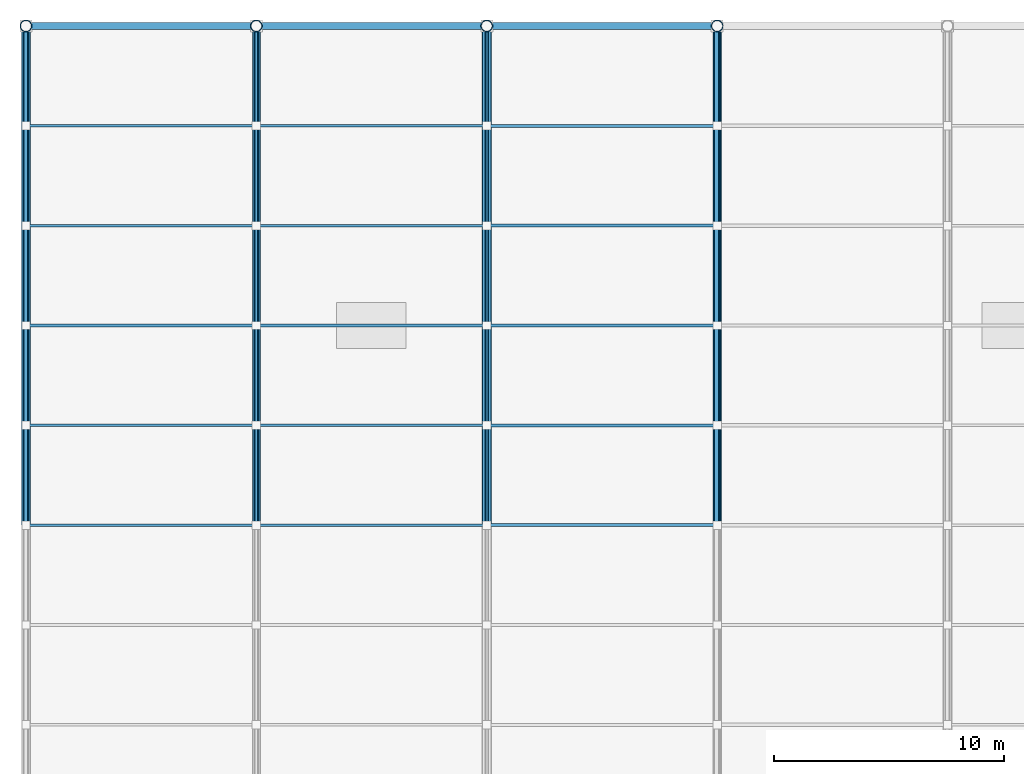
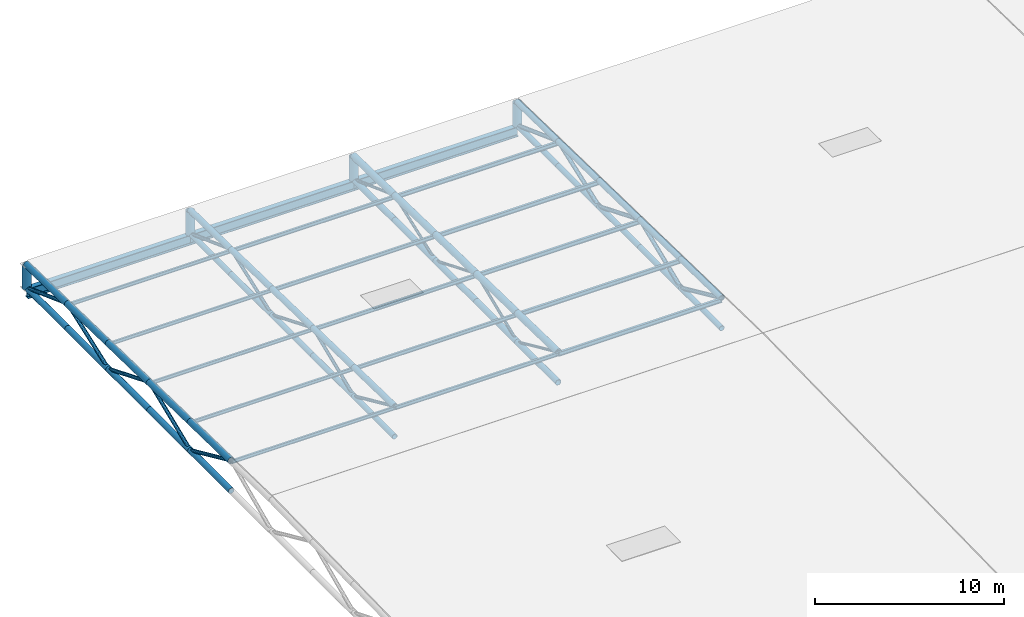
# One storey, part 50 of 75: 79 members, 3 beams.
"""IFC4 building model written with IfcOpenShell, lengths in metres."""

from ifc_helpers import new_model, si_unit, direction, frame, origin, origin_2d, place, context, subcontext, project, spatial, hollow_circle, i_section, extrude, material, material_profile, profile_set, type_object, element, save


model = new_model("IFC4")

# Units and contexts
model_context = context("Model", 3, precision=1e-05, world=origin(), true_north=direction((0.0, 1.0)))
body_context = subcontext(model_context, "Body", "Model", "MODEL_VIEW")
ifc_project = project(units=[si_unit("LENGTHUNIT", "METRE"), si_unit("AREAUNIT", "SQUARE_METRE"), si_unit("VOLUMEUNIT", "CUBIC_METRE"), si_unit("PLANEANGLEUNIT", "RADIAN"), si_unit("MASSUNIT", "GRAM", prefix="KILO")], contexts=[model_context])

# Site, building, storey
site_placement = place(None, origin())
site = spatial("IfcSite", under=ifc_project, at=site_placement, CompositionType="ELEMENT")
building_placement = place(site_placement, origin())
building = spatial("IfcBuilding", under=site, at=building_placement, Name="Khorjan Park Terminus", CompositionType="ELEMENT")
storey_placement = place(building_placement, frame((0.0, 0.0, 16.2)))
storey = spatial("IfcBuildingStorey", under=building, at=storey_placement, Name="L03", CompositionType="ELEMENT", Elevation=16.2)

# Members
ifc_material = material(Name="Steel S355", Category="steel")
ifc_material_profile_1 = material_profile(ifc_material, hollow_circle(Radius=0.0842, WallThickness=0.008, at=origin_2d()), Name="CHS 168.3x8")
ifc_profile_set_1 = profile_set([ifc_material_profile_1], Name="Steel S355")
member_type_1 = type_object("IfcMemberType", Name="MB-BR-168", PredefinedType="BRACE", material=ifc_profile_set_1)
member_1_placement = place(storey_placement, frame((20.0, 132.3333, -0.6417), z_axis=(0.0, 0.911269553162, -0.411810395061), x_axis=(-1.0, 0.0, 0.0)))
element("IfcMember", 1, at=member_1_placement, inside=storey, type_object=member_type_1, Name="Train shed flat truss web diagonal TB-17 (T3)", PredefinedType="BRACE", context=body_context, shape_type="SweptSolid", body=[
    extrude(hollow_circle(Radius=0.0842, WallThickness=0.008, at=origin_2d()), origin(), (0.0, 0.0, 1.0), 4.7553),
])
for number, where, z_axis, x_axis, name in (
    (2, (20.0, 136.6667, -2.6), (0.0, 0.92537575721, 0.379051062481), (-1.0, 0.0, 0.0), "Train shed flat truss web diagonal TB-17 (T3)"),
    (3, (20.0, 141.0, -0.825), (0.0, 0.92537575721, -0.379051062481), (-1.0, 0.0, 0.0), "Train shed flat truss web diagonal TB-17 (T3)"),
):
    element("IfcMember", number, at=place(storey_placement, frame(where, z_axis=z_axis, x_axis=x_axis)), inside=storey, type_object=member_type_1, Name=name, PredefinedType="BRACE", context=body_context, shape_type="SweptSolid", body=[
        extrude(hollow_circle(Radius=0.0842, WallThickness=0.008, at=origin_2d()), origin(), (0.0, 0.0, 1.0), 4.6827),
    ])
member_2_placement = place(storey_placement, frame((20.0, 145.3333, -2.6), z_axis=(0.0, 0.938681062758, 0.344786691187), x_axis=(-1.0, 0.0, 0.0)))
element("IfcMember", 4, at=member_2_placement, inside=storey, type_object=member_type_1, Name="Train shed flat truss web diagonal TB-17 (T3)", PredefinedType="BRACE", context=body_context, shape_type="SweptSolid", body=[
    extrude(hollow_circle(Radius=0.0842, WallThickness=0.008, at=origin_2d()), origin(), (0.0, 0.0, 1.0), 4.6165),
])
member_3_placement = place(storey_placement, frame((20.0, 149.6667, -1.0083), z_axis=(0.0, 0.938678487602, -0.344793701963), x_axis=(-1.0, 0.0, 0.0)))
element("IfcMember", 5, at=member_3_placement, inside=storey, type_object=member_type_1, Name="Train shed flat truss web diagonal TB-17 (T3)", PredefinedType="BRACE", context=body_context, shape_type="SweptSolid", body=[
    extrude(hollow_circle(Radius=0.0842, WallThickness=0.008, at=origin_2d()), origin(), (0.0, 0.0, 1.0), 4.6164),
])
ifc_material_profile_2 = material_profile(ifc_material, hollow_circle(Radius=0.0969, WallThickness=0.01, at=origin_2d()), Name="CHS 193.7x10")
ifc_profile_set_2 = profile_set([ifc_material_profile_2], Name="Steel S355")
member_type_2 = type_object("IfcMemberType", Name="MB-BR-194", PredefinedType="BRACE", material=ifc_profile_set_2)
member_4_placement = place(storey_placement, frame((10.0, 132.3333, -0.6417), z_axis=(0.0, 0.911269553162, -0.411810395061), x_axis=(-1.0, 0.0, 0.0)))
element("IfcMember", 6, at=member_4_placement, inside=storey, type_object=member_type_2, Name="Train shed flat truss web diagonal TB-19 (T2)", PredefinedType="BRACE", context=body_context, shape_type="SweptSolid", body=[
    extrude(hollow_circle(Radius=0.0969, WallThickness=0.01, at=origin_2d()), origin(), (0.0, 0.0, 1.0), 4.7553),
])
for number, where, z_axis, x_axis, name in (
    (7, (10.0, 136.6667, -2.6), (0.0, 0.92537575721, 0.379051062481), (-1.0, 0.0, 0.0), "Train shed flat truss web diagonal TB-19 (T2)"),
    (8, (10.0, 141.0, -0.825), (0.0, 0.92537575721, -0.379051062481), (-1.0, 0.0, 0.0), "Train shed flat truss web diagonal TB-19 (T2)"),
):
    element("IfcMember", number, at=place(storey_placement, frame(where, z_axis=z_axis, x_axis=x_axis)), inside=storey, type_object=member_type_2, Name=name, PredefinedType="BRACE", context=body_context, shape_type="SweptSolid", body=[
        extrude(hollow_circle(Radius=0.0969, WallThickness=0.01, at=origin_2d()), origin(), (0.0, 0.0, 1.0), 4.6827),
    ])
member_5_placement = place(storey_placement, frame((10.0, 145.3333, -2.6), z_axis=(0.0, 0.938681062758, 0.344786691187), x_axis=(-1.0, 0.0, 0.0)))
element("IfcMember", 9, at=member_5_placement, inside=storey, type_object=member_type_2, Name="Train shed flat truss web diagonal TB-19 (T2)", PredefinedType="BRACE", context=body_context, shape_type="SweptSolid", body=[
    extrude(hollow_circle(Radius=0.0969, WallThickness=0.01, at=origin_2d()), origin(), (0.0, 0.0, 1.0), 4.6165),
])
member_6_placement = place(storey_placement, frame((10.0, 149.6667, -1.0083), z_axis=(0.0, 0.938678487602, -0.344793701963), x_axis=(-1.0, 0.0, 0.0)))
element("IfcMember", 10, at=member_6_placement, inside=storey, type_object=member_type_2, Name="Train shed flat truss web diagonal TB-19 (T2)", PredefinedType="BRACE", context=body_context, shape_type="SweptSolid", body=[
    extrude(hollow_circle(Radius=0.0969, WallThickness=0.01, at=origin_2d()), origin(), (0.0, 0.0, 1.0), 4.6164),
])
ifc_material_profile_3 = material_profile(ifc_material, hollow_circle(Radius=0.1095, WallThickness=0.01, at=origin_2d()), Name="CHS 219.1x10")
ifc_profile_set_3 = profile_set([ifc_material_profile_3], Name="Steel S355")
member_type_3 = type_object("IfcMemberType", Name="MB-BR-219", PredefinedType="BRACE", material=ifc_profile_set_3)
member_7_placement = place(storey_placement, frame((0.0, 132.3333, -0.6417), z_axis=(0.0, 0.911269553162, -0.411810395061), x_axis=(-1.0, 0.0, 0.0)))
element("IfcMember", 11, at=member_7_placement, inside=storey, type_object=member_type_3, Name="Train shed flat truss web diagonal TB-22 (T1)", PredefinedType="BRACE", context=body_context, shape_type="SweptSolid", body=[
    extrude(hollow_circle(Radius=0.1095, WallThickness=0.01, at=origin_2d()), origin(), (0.0, 0.0, 1.0), 4.7553),
])
for number, where, z_axis, x_axis, name in (
    (12, (0.0, 136.6667, -2.6), (0.0, 0.92537575721, 0.379051062481), (-1.0, 0.0, 0.0), "Train shed flat truss web diagonal TB-22 (T1)"),
    (13, (0.0, 141.0, -0.825), (0.0, 0.92537575721, -0.379051062481), (-1.0, 0.0, 0.0), "Train shed flat truss web diagonal TB-22 (T1)"),
):
    element("IfcMember", number, at=place(storey_placement, frame(where, z_axis=z_axis, x_axis=x_axis)), inside=storey, type_object=member_type_3, Name=name, PredefinedType="BRACE", context=body_context, shape_type="SweptSolid", body=[
        extrude(hollow_circle(Radius=0.1095, WallThickness=0.01, at=origin_2d()), origin(), (0.0, 0.0, 1.0), 4.6827),
    ])
member_8_placement = place(storey_placement, frame((0.0, 145.3333, -2.6), z_axis=(0.0, 0.938681062758, 0.344786691187), x_axis=(-1.0, 0.0, 0.0)))
element("IfcMember", 14, at=member_8_placement, inside=storey, type_object=member_type_3, Name="Train shed flat truss web diagonal TB-22 (T1)", PredefinedType="BRACE", context=body_context, shape_type="SweptSolid", body=[
    extrude(hollow_circle(Radius=0.1095, WallThickness=0.01, at=origin_2d()), origin(), (0.0, 0.0, 1.0), 4.6165),
])
member_9_placement = place(storey_placement, frame((0.0, 149.6667, -1.0083), z_axis=(0.0, 0.938678487602, -0.344793701963), x_axis=(-1.0, 0.0, 0.0)))
element("IfcMember", 15, at=member_9_placement, inside=storey, type_object=member_type_3, Name="Train shed flat truss web diagonal TB-22 (T1)", PredefinedType="BRACE", context=body_context, shape_type="SweptSolid", body=[
    extrude(hollow_circle(Radius=0.1095, WallThickness=0.01, at=origin_2d()), origin(), (0.0, 0.0, 1.0), 4.6164),
])
ifc_material_profile_4 = material_profile(ifc_material, hollow_circle(Radius=0.1222, WallThickness=0.0125, at=origin_2d()), Name="CHS 244.5x12.5")
ifc_profile_set_4 = profile_set([ifc_material_profile_4], Name="Steel S355")
member_type_4 = type_object("IfcMemberType", Name="MB-BR-245", PredefinedType="BRACE", material=ifc_profile_set_4)
member_10_placement = place(storey_placement, frame((30.0, 132.3333, -0.6417), z_axis=(0.0, 0.911269553162, -0.411810395061), x_axis=(-1.0, 0.0, 0.0)))
element("IfcMember", 16, at=member_10_placement, inside=storey, type_object=member_type_4, Name="Train shed flat truss web diagonal TB-24 (T4)", PredefinedType="BRACE", context=body_context, shape_type="SweptSolid", body=[
    extrude(hollow_circle(Radius=0.1222, WallThickness=0.0125, at=origin_2d()), origin(), (0.0, 0.0, 1.0), 4.7553),
])
for number, where, z_axis, x_axis, name in (
    (17, (30.0, 136.6667, -2.6), (0.0, 0.92537575721, 0.379051062481), (-1.0, 0.0, 0.0), "Train shed flat truss web diagonal TB-24 (T4)"),
    (18, (30.0, 141.0, -0.825), (0.0, 0.92537575721, -0.379051062481), (-1.0, 0.0, 0.0), "Train shed flat truss web diagonal TB-24 (T4)"),
):
    element("IfcMember", number, at=place(storey_placement, frame(where, z_axis=z_axis, x_axis=x_axis)), inside=storey, type_object=member_type_4, Name=name, PredefinedType="BRACE", context=body_context, shape_type="SweptSolid", body=[
        extrude(hollow_circle(Radius=0.1222, WallThickness=0.0125, at=origin_2d()), origin(), (0.0, 0.0, 1.0), 4.6827),
    ])
member_11_placement = place(storey_placement, frame((30.0, 145.3333, -2.6), z_axis=(0.0, 0.938681062758, 0.344786691187), x_axis=(-1.0, 0.0, 0.0)))
element("IfcMember", 19, at=member_11_placement, inside=storey, type_object=member_type_4, Name="Train shed flat truss web diagonal TB-24 (T4)", PredefinedType="BRACE", context=body_context, shape_type="SweptSolid", body=[
    extrude(hollow_circle(Radius=0.1222, WallThickness=0.0125, at=origin_2d()), origin(), (0.0, 0.0, 1.0), 4.6165),
])
member_12_placement = place(storey_placement, frame((30.0, 149.6667, -1.0083), z_axis=(0.0, 0.938678487602, -0.344793701963), x_axis=(-1.0, 0.0, 0.0)))
element("IfcMember", 20, at=member_12_placement, inside=storey, type_object=member_type_4, Name="Train shed flat truss web diagonal TB-24 (T4)", PredefinedType="BRACE", context=body_context, shape_type="SweptSolid", body=[
    extrude(hollow_circle(Radius=0.1222, WallThickness=0.0125, at=origin_2d()), origin(), (0.0, 0.0, 1.0), 4.6164),
])
ifc_material_profile_5 = material_profile(ifc_material, hollow_circle(Radius=0.162, WallThickness=0.0125, at=origin_2d()), Name="CHS 323.9x12.5")
ifc_profile_set_5 = profile_set([ifc_material_profile_5], Name="Steel S355")
member_type_5 = type_object("IfcMemberType", Name="MB-CH-324", PredefinedType="CHORD", material=ifc_profile_set_5)
member_13_placement = place(storey_placement, frame((10.0, 132.3333, -2.6), z_axis=(0.0, 1.0, 0.0), x_axis=(-1.0, 0.0, 0.0)))
element("IfcMember", 21, at=member_13_placement, inside=storey, type_object=member_type_5, Name="Train shed flat truss bottom chord TC-32 (T2)", PredefinedType="CHORD", context=body_context, shape_type="SweptSolid", body=[
    extrude(hollow_circle(Radius=0.162, WallThickness=0.0125, at=origin_2d()), origin(), (0.0, 0.0, 1.0), 4.3334),
])
for number, where, z_axis, x_axis, name in (
    (22, (10.0, 136.6667, -2.6), (0.0, 1.0, 0.0), (-1.0, 0.0, 0.0), "Train shed flat truss bottom chord TC-32 (T2)"),
    (23, (10.0, 141.0, -2.6), (0.0, 1.0, 0.0), (-1.0, 0.0, 0.0), "Train shed flat truss bottom chord TC-32 (T2)"),
):
    element("IfcMember", number, at=place(storey_placement, frame(where, z_axis=z_axis, x_axis=x_axis)), inside=storey, type_object=member_type_5, Name=name, PredefinedType="CHORD", context=body_context, shape_type="SweptSolid", body=[
        extrude(hollow_circle(Radius=0.162, WallThickness=0.0125, at=origin_2d()), origin(), (0.0, 0.0, 1.0), 4.3333),
    ])
member_14_placement = place(storey_placement, frame((10.0, 145.3333, -2.6), z_axis=(0.0, 1.0, 0.0), x_axis=(-1.0, 0.0, 0.0)))
element("IfcMember", 24, at=member_14_placement, inside=storey, type_object=member_type_5, Name="Train shed flat truss bottom chord TC-32 (T2)", PredefinedType="CHORD", context=body_context, shape_type="SweptSolid", body=[
    extrude(hollow_circle(Radius=0.162, WallThickness=0.0125, at=origin_2d()), origin(), (0.0, 0.0, 1.0), 4.3334),
])
member_15_placement = place(storey_placement, frame((10.0, 149.6667, -2.6), z_axis=(0.0, 1.0, 0.0), x_axis=(-1.0, 0.0, 0.0)))
element("IfcMember", 25, at=member_15_placement, inside=storey, type_object=member_type_5, Name="Train shed flat truss bottom chord TC-32 (T2)", PredefinedType="CHORD", context=body_context, shape_type="SweptSolid", body=[
    extrude(hollow_circle(Radius=0.162, WallThickness=0.0125, at=origin_2d()), origin(), (0.0, 0.0, 1.0), 4.3333),
])
member_16_placement = place(storey_placement, frame((30.0, 132.3333, -2.6), z_axis=(0.0, 1.0, 0.0), x_axis=(-1.0, 0.0, 0.0)))
element("IfcMember", 26, at=member_16_placement, inside=storey, type_object=member_type_5, Name="Train shed flat truss bottom chord TC-32 (T4)", PredefinedType="CHORD", context=body_context, shape_type="SweptSolid", body=[
    extrude(hollow_circle(Radius=0.162, WallThickness=0.0125, at=origin_2d()), origin(), (0.0, 0.0, 1.0), 4.3334),
])
for number, where, z_axis, x_axis, name in (
    (27, (30.0, 136.6667, -2.6), (0.0, 1.0, 0.0), (-1.0, 0.0, 0.0), "Train shed flat truss bottom chord TC-32 (T4)"),
    (28, (30.0, 141.0, -2.6), (0.0, 1.0, 0.0), (-1.0, 0.0, 0.0), "Train shed flat truss bottom chord TC-32 (T4)"),
):
    element("IfcMember", number, at=place(storey_placement, frame(where, z_axis=z_axis, x_axis=x_axis)), inside=storey, type_object=member_type_5, Name=name, PredefinedType="CHORD", context=body_context, shape_type="SweptSolid", body=[
        extrude(hollow_circle(Radius=0.162, WallThickness=0.0125, at=origin_2d()), origin(), (0.0, 0.0, 1.0), 4.3333),
    ])
member_17_placement = place(storey_placement, frame((30.0, 145.3333, -2.6), z_axis=(0.0, 1.0, 0.0), x_axis=(-1.0, 0.0, 0.0)))
element("IfcMember", 29, at=member_17_placement, inside=storey, type_object=member_type_5, Name="Train shed flat truss bottom chord TC-32 (T4)", PredefinedType="CHORD", context=body_context, shape_type="SweptSolid", body=[
    extrude(hollow_circle(Radius=0.162, WallThickness=0.0125, at=origin_2d()), origin(), (0.0, 0.0, 1.0), 4.3334),
])
member_18_placement = place(storey_placement, frame((30.0, 149.6667, -2.6), z_axis=(0.0, 1.0, 0.0), x_axis=(-1.0, 0.0, 0.0)))
element("IfcMember", 30, at=member_18_placement, inside=storey, type_object=member_type_5, Name="Train shed flat truss bottom chord TC-32 (T4)", PredefinedType="CHORD", context=body_context, shape_type="SweptSolid", body=[
    extrude(hollow_circle(Radius=0.162, WallThickness=0.0125, at=origin_2d()), origin(), (0.0, 0.0, 1.0), 4.3333),
])
ifc_material_profile_6 = material_profile(ifc_material, hollow_circle(Radius=0.1778, WallThickness=0.016, at=origin_2d()), Name="CHS 355.6x16")
ifc_profile_set_6 = profile_set([ifc_material_profile_6], Name="Steel S355")
member_type_6 = type_object("IfcMemberType", Name="MB-CH-356", PredefinedType="CHORD", material=ifc_profile_set_6)
member_19_placement = place(storey_placement, frame((0.0, 132.3333, -2.6), z_axis=(0.0, 1.0, 0.0), x_axis=(-1.0, 0.0, 0.0)))
element("IfcMember", 31, at=member_19_placement, inside=storey, type_object=member_type_6, Name="Train shed flat truss bottom chord TC-36 (T1)", PredefinedType="CHORD", context=body_context, shape_type="SweptSolid", body=[
    extrude(hollow_circle(Radius=0.1778, WallThickness=0.016, at=origin_2d()), origin(), (0.0, 0.0, 1.0), 4.3334),
])
for number, where, z_axis, x_axis, name in (
    (32, (0.0, 136.6667, -2.6), (0.0, 1.0, 0.0), (-1.0, 0.0, 0.0), "Train shed flat truss bottom chord TC-36 (T1)"),
    (33, (0.0, 141.0, -2.6), (0.0, 1.0, 0.0), (-1.0, 0.0, 0.0), "Train shed flat truss bottom chord TC-36 (T1)"),
):
    element("IfcMember", number, at=place(storey_placement, frame(where, z_axis=z_axis, x_axis=x_axis)), inside=storey, type_object=member_type_6, Name=name, PredefinedType="CHORD", context=body_context, shape_type="SweptSolid", body=[
        extrude(hollow_circle(Radius=0.1778, WallThickness=0.016, at=origin_2d()), origin(), (0.0, 0.0, 1.0), 4.3333),
    ])
member_20_placement = place(storey_placement, frame((0.0, 145.3333, -2.6), z_axis=(0.0, 1.0, 0.0), x_axis=(-1.0, 0.0, 0.0)))
element("IfcMember", 34, at=member_20_placement, inside=storey, type_object=member_type_6, Name="Train shed flat truss bottom chord TC-36 (T1)", PredefinedType="CHORD", context=body_context, shape_type="SweptSolid", body=[
    extrude(hollow_circle(Radius=0.1778, WallThickness=0.016, at=origin_2d()), origin(), (0.0, 0.0, 1.0), 4.3334),
])
member_21_placement = place(storey_placement, frame((0.0, 149.6667, -2.6), z_axis=(0.0, 1.0, 0.0), x_axis=(-1.0, 0.0, 0.0)))
element("IfcMember", 35, at=member_21_placement, inside=storey, type_object=member_type_6, Name="Train shed flat truss bottom chord TC-36 (T1)", PredefinedType="CHORD", context=body_context, shape_type="SweptSolid", body=[
    extrude(hollow_circle(Radius=0.1778, WallThickness=0.016, at=origin_2d()), origin(), (0.0, 0.0, 1.0), 4.3333),
])
member_22_placement = place(storey_placement, frame((10.0, 132.3333, -0.6417), z_axis=(0.0, 0.999776664437, -0.021133415439), x_axis=(-1.0, 0.0, 0.0)))
element("IfcMember", 36, at=member_22_placement, inside=storey, type_object=member_type_6, Name="Train shed flat truss top chord TC-36 (T2)", PredefinedType="CHORD", context=body_context, shape_type="SweptSolid", body=[
    extrude(hollow_circle(Radius=0.1778, WallThickness=0.016, at=origin_2d()), origin(), (0.0, 0.0, 1.0), 4.3344),
])
for number, where, z_axis, x_axis, name in (
    (37, (10.0, 136.6667, -0.7333), (0.0, 0.999776166375, -0.021156964544), (-1.0, 0.0, 0.0), "Train shed flat truss top chord TC-36 (T2)"),
    (38, (10.0, 141.0, -0.825), (0.0, 0.999776166375, -0.021156964544), (-1.0, 0.0, 0.0), "Train shed flat truss top chord TC-36 (T2)"),
):
    element("IfcMember", number, at=place(storey_placement, frame(where, z_axis=z_axis, x_axis=x_axis)), inside=storey, type_object=member_type_6, Name=name, PredefinedType="CHORD", context=body_context, shape_type="SweptSolid", body=[
        extrude(hollow_circle(Radius=0.1778, WallThickness=0.016, at=origin_2d()), origin(), (0.0, 0.0, 1.0), 4.3343),
    ])
member_23_placement = place(storey_placement, frame((10.0, 145.3333, -0.9167), z_axis=(0.0, 0.999776664437, -0.021133415439), x_axis=(-1.0, 0.0, 0.0)))
element("IfcMember", 39, at=member_23_placement, inside=storey, type_object=member_type_6, Name="Train shed flat truss top chord TC-36 (T2)", PredefinedType="CHORD", context=body_context, shape_type="SweptSolid", body=[
    extrude(hollow_circle(Radius=0.1778, WallThickness=0.016, at=origin_2d()), origin(), (0.0, 0.0, 1.0), 4.3344),
])
member_24_placement = place(storey_placement, frame((10.0, 149.6667, -1.0083), z_axis=(0.0, 0.999776166375, -0.021156964544), x_axis=(-1.0, 0.0, 0.0)))
element("IfcMember", 40, at=member_24_placement, inside=storey, type_object=member_type_6, Name="Train shed flat truss top chord TC-36 (T2)", PredefinedType="CHORD", context=body_context, shape_type="SweptSolid", body=[
    extrude(hollow_circle(Radius=0.1778, WallThickness=0.016, at=origin_2d()), origin(), (0.0, 0.0, 1.0), 4.3343),
])
member_25_placement = place(storey_placement, frame((20.0, 132.3333, -2.6), z_axis=(0.0, 1.0, 0.0), x_axis=(-1.0, 0.0, 0.0)))
element("IfcMember", 41, at=member_25_placement, inside=storey, type_object=member_type_6, Name="Train shed flat truss bottom chord TC-36 (T3)", PredefinedType="CHORD", context=body_context, shape_type="SweptSolid", body=[
    extrude(hollow_circle(Radius=0.1778, WallThickness=0.016, at=origin_2d()), origin(), (0.0, 0.0, 1.0), 4.3334),
])
for number, where, z_axis, x_axis, name in (
    (42, (20.0, 136.6667, -2.6), (0.0, 1.0, 0.0), (-1.0, 0.0, 0.0), "Train shed flat truss bottom chord TC-36 (T3)"),
    (43, (20.0, 141.0, -2.6), (0.0, 1.0, 0.0), (-1.0, 0.0, 0.0), "Train shed flat truss bottom chord TC-36 (T3)"),
):
    element("IfcMember", number, at=place(storey_placement, frame(where, z_axis=z_axis, x_axis=x_axis)), inside=storey, type_object=member_type_6, Name=name, PredefinedType="CHORD", context=body_context, shape_type="SweptSolid", body=[
        extrude(hollow_circle(Radius=0.1778, WallThickness=0.016, at=origin_2d()), origin(), (0.0, 0.0, 1.0), 4.3333),
    ])
member_26_placement = place(storey_placement, frame((20.0, 145.3333, -2.6), z_axis=(0.0, 1.0, 0.0), x_axis=(-1.0, 0.0, 0.0)))
element("IfcMember", 44, at=member_26_placement, inside=storey, type_object=member_type_6, Name="Train shed flat truss bottom chord TC-36 (T3)", PredefinedType="CHORD", context=body_context, shape_type="SweptSolid", body=[
    extrude(hollow_circle(Radius=0.1778, WallThickness=0.016, at=origin_2d()), origin(), (0.0, 0.0, 1.0), 4.3334),
])
member_27_placement = place(storey_placement, frame((20.0, 149.6667, -2.6), z_axis=(0.0, 1.0, 0.0), x_axis=(-1.0, 0.0, 0.0)))
element("IfcMember", 45, at=member_27_placement, inside=storey, type_object=member_type_6, Name="Train shed flat truss bottom chord TC-36 (T3)", PredefinedType="CHORD", context=body_context, shape_type="SweptSolid", body=[
    extrude(hollow_circle(Radius=0.1778, WallThickness=0.016, at=origin_2d()), origin(), (0.0, 0.0, 1.0), 4.3333),
])
member_28_placement = place(storey_placement, frame((30.0, 132.3333, -0.6417), z_axis=(0.0, 0.999776664437, -0.021133415439), x_axis=(-1.0, 0.0, 0.0)))
element("IfcMember", 46, at=member_28_placement, inside=storey, type_object=member_type_6, Name="Train shed flat truss top chord TC-36 (T4)", PredefinedType="CHORD", context=body_context, shape_type="SweptSolid", body=[
    extrude(hollow_circle(Radius=0.1778, WallThickness=0.016, at=origin_2d()), origin(), (0.0, 0.0, 1.0), 4.3344),
])
for number, where, z_axis, x_axis, name in (
    (47, (30.0, 136.6667, -0.7333), (0.0, 0.999776166375, -0.021156964544), (-1.0, 0.0, 0.0), "Train shed flat truss top chord TC-36 (T4)"),
    (48, (30.0, 141.0, -0.825), (0.0, 0.999776166375, -0.021156964544), (-1.0, 0.0, 0.0), "Train shed flat truss top chord TC-36 (T4)"),
):
    element("IfcMember", number, at=place(storey_placement, frame(where, z_axis=z_axis, x_axis=x_axis)), inside=storey, type_object=member_type_6, Name=name, PredefinedType="CHORD", context=body_context, shape_type="SweptSolid", body=[
        extrude(hollow_circle(Radius=0.1778, WallThickness=0.016, at=origin_2d()), origin(), (0.0, 0.0, 1.0), 4.3343),
    ])
member_29_placement = place(storey_placement, frame((30.0, 145.3333, -0.9167), z_axis=(0.0, 0.999776664437, -0.021133415439), x_axis=(-1.0, 0.0, 0.0)))
element("IfcMember", 49, at=member_29_placement, inside=storey, type_object=member_type_6, Name="Train shed flat truss top chord TC-36 (T4)", PredefinedType="CHORD", context=body_context, shape_type="SweptSolid", body=[
    extrude(hollow_circle(Radius=0.1778, WallThickness=0.016, at=origin_2d()), origin(), (0.0, 0.0, 1.0), 4.3344),
])
member_30_placement = place(storey_placement, frame((30.0, 149.6667, -1.0083), z_axis=(0.0, 0.999776166375, -0.021156964544), x_axis=(-1.0, 0.0, 0.0)))
element("IfcMember", 50, at=member_30_placement, inside=storey, type_object=member_type_6, Name="Train shed flat truss top chord TC-36 (T4)", PredefinedType="CHORD", context=body_context, shape_type="SweptSolid", body=[
    extrude(hollow_circle(Radius=0.1778, WallThickness=0.016, at=origin_2d()), origin(), (0.0, 0.0, 1.0), 4.3343),
])
ifc_material_profile_7 = material_profile(ifc_material, hollow_circle(Radius=0.2032, WallThickness=0.016, at=origin_2d()), Name="CHS 406.4x16")
ifc_profile_set_7 = profile_set([ifc_material_profile_7], Name="Steel S355")
member_type_7 = type_object("IfcMemberType", Name="MB-CH-406", PredefinedType="CHORD", material=ifc_profile_set_7)
member_31_placement = place(storey_placement, frame((0.0, 132.3333, -0.6417), z_axis=(0.0, 0.999776664437, -0.021133415439), x_axis=(-1.0, 0.0, 0.0)))
element("IfcMember", 51, at=member_31_placement, inside=storey, type_object=member_type_7, Name="Train shed flat truss top chord TC-41 (T1)", PredefinedType="CHORD", context=body_context, shape_type="SweptSolid", body=[
    extrude(hollow_circle(Radius=0.2032, WallThickness=0.016, at=origin_2d()), origin(), (0.0, 0.0, 1.0), 4.3344),
])
for number, where, z_axis, x_axis, name in (
    (52, (0.0, 136.6667, -0.7333), (0.0, 0.999776166375, -0.021156964544), (-1.0, 0.0, 0.0), "Train shed flat truss top chord TC-41 (T1)"),
    (53, (0.0, 141.0, -0.825), (0.0, 0.999776166375, -0.021156964544), (-1.0, 0.0, 0.0), "Train shed flat truss top chord TC-41 (T1)"),
):
    element("IfcMember", number, at=place(storey_placement, frame(where, z_axis=z_axis, x_axis=x_axis)), inside=storey, type_object=member_type_7, Name=name, PredefinedType="CHORD", context=body_context, shape_type="SweptSolid", body=[
        extrude(hollow_circle(Radius=0.2032, WallThickness=0.016, at=origin_2d()), origin(), (0.0, 0.0, 1.0), 4.3343),
    ])
member_32_placement = place(storey_placement, frame((0.0, 145.3333, -0.9167), z_axis=(0.0, 0.999776664437, -0.021133415439), x_axis=(-1.0, 0.0, 0.0)))
element("IfcMember", 54, at=member_32_placement, inside=storey, type_object=member_type_7, Name="Train shed flat truss top chord TC-41 (T1)", PredefinedType="CHORD", context=body_context, shape_type="SweptSolid", body=[
    extrude(hollow_circle(Radius=0.2032, WallThickness=0.016, at=origin_2d()), origin(), (0.0, 0.0, 1.0), 4.3344),
])
member_33_placement = place(storey_placement, frame((0.0, 149.6667, -1.0083), z_axis=(0.0, 0.999776166375, -0.021156964544), x_axis=(-1.0, 0.0, 0.0)))
element("IfcMember", 55, at=member_33_placement, inside=storey, type_object=member_type_7, Name="Train shed flat truss top chord TC-41 (T1)", PredefinedType="CHORD", context=body_context, shape_type="SweptSolid", body=[
    extrude(hollow_circle(Radius=0.2032, WallThickness=0.016, at=origin_2d()), origin(), (0.0, 0.0, 1.0), 4.3343),
])
member_34_placement = place(storey_placement, frame((20.0, 132.3333, -0.6417), z_axis=(0.0, 0.999776664437, -0.021133415439), x_axis=(-1.0, 0.0, 0.0)))
element("IfcMember", 56, at=member_34_placement, inside=storey, type_object=member_type_7, Name="Train shed flat truss top chord TC-41 (T3)", PredefinedType="CHORD", context=body_context, shape_type="SweptSolid", body=[
    extrude(hollow_circle(Radius=0.2032, WallThickness=0.016, at=origin_2d()), origin(), (0.0, 0.0, 1.0), 4.3344),
])
for number, where, z_axis, x_axis, name in (
    (57, (20.0, 136.6667, -0.7333), (0.0, 0.999776166375, -0.021156964544), (-1.0, 0.0, 0.0), "Train shed flat truss top chord TC-41 (T3)"),
    (58, (20.0, 141.0, -0.825), (0.0, 0.999776166375, -0.021156964544), (-1.0, 0.0, 0.0), "Train shed flat truss top chord TC-41 (T3)"),
):
    element("IfcMember", number, at=place(storey_placement, frame(where, z_axis=z_axis, x_axis=x_axis)), inside=storey, type_object=member_type_7, Name=name, PredefinedType="CHORD", context=body_context, shape_type="SweptSolid", body=[
        extrude(hollow_circle(Radius=0.2032, WallThickness=0.016, at=origin_2d()), origin(), (0.0, 0.0, 1.0), 4.3343),
    ])
member_35_placement = place(storey_placement, frame((20.0, 145.3333, -0.9167), z_axis=(0.0, 0.999776664437, -0.021133415439), x_axis=(-1.0, 0.0, 0.0)))
element("IfcMember", 59, at=member_35_placement, inside=storey, type_object=member_type_7, Name="Train shed flat truss top chord TC-41 (T3)", PredefinedType="CHORD", context=body_context, shape_type="SweptSolid", body=[
    extrude(hollow_circle(Radius=0.2032, WallThickness=0.016, at=origin_2d()), origin(), (0.0, 0.0, 1.0), 4.3344),
])
member_36_placement = place(storey_placement, frame((20.0, 149.6667, -1.0083), z_axis=(0.0, 0.999776166375, -0.021156964544), x_axis=(-1.0, 0.0, 0.0)))
element("IfcMember", 60, at=member_36_placement, inside=storey, type_object=member_type_7, Name="Train shed flat truss top chord TC-41 (T3)", PredefinedType="CHORD", context=body_context, shape_type="SweptSolid", body=[
    extrude(hollow_circle(Radius=0.2032, WallThickness=0.016, at=origin_2d()), origin(), (0.0, 0.0, 1.0), 4.3343),
])
ifc_material_profile_8 = material_profile(ifc_material, i_section(OverallWidth=0.11, OverallDepth=0.22, WebThickness=0.0059, FlangeThickness=0.0092, FilletRadius=0.012, at=origin_2d()), Name="IPE 220")
ifc_profile_set_8 = profile_set([ifc_material_profile_8], Name="Steel S355")
member_type_8 = type_object("IfcMemberType", Name="MB-PR-IPE220", PredefinedType="PURLIN", material=ifc_profile_set_8)
for number, where, z_axis, x_axis, name in (
    (61, (0.0, 132.3333, -0.7317), (1.0, 0.0, 0.0), (0.0, 1.0, 0.0), "Train shed secondary roof purlin PR-22 (Bay 1)"),
    (62, (0.0, 136.6667, -0.8233), (1.0, 0.0, 0.0), (0.0, 1.0, 0.0), "Train shed secondary roof purlin PR-22 (Bay 1)"),
    (63, (0.0, 141.0, -0.915), (1.0, 0.0, 0.0), (0.0, 1.0, 0.0), "Train shed secondary roof purlin PR-22 (Bay 1)"),
    (64, (0.0, 145.3333, -1.0067), (1.0, 0.0, 0.0), (0.0, 1.0, 0.0), "Train shed secondary roof purlin PR-22 (Bay 1)"),
    (65, (0.0, 149.6667, -1.0983), (1.0, 0.0, 0.0), (0.0, 1.0, 0.0), "Train shed secondary roof purlin PR-22 (Bay 1)"),
):
    element("IfcMember", number, at=place(storey_placement, frame(where, z_axis=z_axis, x_axis=x_axis)), inside=storey, type_object=member_type_8, Name=name, PredefinedType="PURLIN", context=body_context, shape_type="SweptSolid", body=[
        extrude(i_section(OverallWidth=0.11, OverallDepth=0.22, WebThickness=0.0059, FlangeThickness=0.0092, FilletRadius=0.012, at=origin_2d()), origin(), (0.0, 0.0, 1.0), 10.0),
    ])
ifc_material_profile_9 = material_profile(ifc_material, i_section(OverallWidth=0.12, OverallDepth=0.24, WebThickness=0.0062, FlangeThickness=0.0098, FilletRadius=0.015, at=origin_2d()), Name="IPE 240")
ifc_profile_set_9 = profile_set([ifc_material_profile_9], Name="Steel S355")
member_type_9 = type_object("IfcMemberType", Name="MB-PR-IPE240", PredefinedType="PURLIN", material=ifc_profile_set_9)
for number, where, z_axis, x_axis, name in (
    (66, (10.0, 132.3333, -0.7417), (1.0, 0.0, 0.0), (0.0, 1.0, 0.0), "Train shed secondary roof purlin PR-24 (Bay 2)"),
    (67, (10.0, 136.6667, -0.8333), (1.0, 0.0, 0.0), (0.0, 1.0, 0.0), "Train shed secondary roof purlin PR-24 (Bay 2)"),
    (68, (10.0, 141.0, -0.925), (1.0, 0.0, 0.0), (0.0, 1.0, 0.0), "Train shed secondary roof purlin PR-24 (Bay 2)"),
    (69, (10.0, 145.3333, -1.0167), (1.0, 0.0, 0.0), (0.0, 1.0, 0.0), "Train shed secondary roof purlin PR-24 (Bay 2)"),
    (70, (10.0, 149.6667, -1.1083), (1.0, 0.0, 0.0), (0.0, 1.0, 0.0), "Train shed secondary roof purlin PR-24 (Bay 2)"),
):
    element("IfcMember", number, at=place(storey_placement, frame(where, z_axis=z_axis, x_axis=x_axis)), inside=storey, type_object=member_type_9, Name=name, PredefinedType="PURLIN", context=body_context, shape_type="SweptSolid", body=[
        extrude(i_section(OverallWidth=0.12, OverallDepth=0.24, WebThickness=0.0062, FlangeThickness=0.0098, FilletRadius=0.015, at=origin_2d()), origin(), (0.0, 0.0, 1.0), 10.0),
    ])
ifc_material_profile_10 = material_profile(ifc_material, i_section(OverallWidth=0.135, OverallDepth=0.27, WebThickness=0.0066, FlangeThickness=0.0102, FilletRadius=0.015, at=origin_2d()), Name="IPE 270")
ifc_profile_set_10 = profile_set([ifc_material_profile_10], Name="Steel S355")
member_type_10 = type_object("IfcMemberType", Name="MB-PR-IPE270", PredefinedType="PURLIN", material=ifc_profile_set_10)
for number, where, z_axis, x_axis, name in (
    (71, (20.0, 132.3333, -0.7567), (1.0, 0.0, 0.0), (0.0, 1.0, 0.0), "Train shed secondary roof purlin PR-27 (Bay 3)"),
    (72, (20.0, 136.6667, -0.8483), (1.0, 0.0, 0.0), (0.0, 1.0, 0.0), "Train shed secondary roof purlin PR-27 (Bay 3)"),
    (73, (20.0, 141.0, -0.94), (1.0, 0.0, 0.0), (0.0, 1.0, 0.0), "Train shed secondary roof purlin PR-27 (Bay 3)"),
    (74, (20.0, 145.3333, -1.0317), (1.0, 0.0, 0.0), (0.0, 1.0, 0.0), "Train shed secondary roof purlin PR-27 (Bay 3)"),
    (75, (20.0, 149.6667, -1.1233), (1.0, 0.0, 0.0), (0.0, 1.0, 0.0), "Train shed secondary roof purlin PR-27 (Bay 3)"),
):
    element("IfcMember", number, at=place(storey_placement, frame(where, z_axis=z_axis, x_axis=x_axis)), inside=storey, type_object=member_type_10, Name=name, PredefinedType="PURLIN", context=body_context, shape_type="SweptSolid", body=[
        extrude(i_section(OverallWidth=0.135, OverallDepth=0.27, WebThickness=0.0066, FlangeThickness=0.0102, FilletRadius=0.015, at=origin_2d()), origin(), (0.0, 0.0, 1.0), 10.0),
    ])
ifc_material_profile_11 = material_profile(ifc_material, hollow_circle(Radius=0.254, WallThickness=0.02, at=origin_2d()), Name="CHS 508x20")
ifc_profile_set_11 = profile_set([ifc_material_profile_11], Name="Steel S355")
member_type_11 = type_object("IfcMemberType", Name="MB-STE-508", PredefinedType="STRUT", material=ifc_profile_set_11)
for number, where, z_axis, x_axis, name in (
    (76, (0.0, 154.0, -2.62), (0.0, 0.0, 1.0), (1.0, 0.0, 0.0), "Train shed flat truss end post STE-51 (T1-N)"),
    (77, (10.0, 154.0, -2.62), (0.0, 0.0, 1.0), (1.0, 0.0, 0.0), "Train shed flat truss end post STE-51 (T2-N)"),
    (78, (20.0, 154.0, -2.62), (0.0, 0.0, 1.0), (1.0, 0.0, 0.0), "Train shed flat truss end post STE-51 (T3-N)"),
    (79, (30.0, 154.0, -2.62), (0.0, 0.0, 1.0), (1.0, 0.0, 0.0), "Train shed flat truss end post STE-51 (T4-N)"),
):
    element("IfcMember", number, at=place(storey_placement, frame(where, z_axis=z_axis, x_axis=x_axis)), inside=storey, type_object=member_type_11, Name=name, PredefinedType="STRUT", context=body_context, shape_type="SweptSolid", body=[
        extrude(hollow_circle(Radius=0.254, WallThickness=0.02, at=origin_2d()), origin(), (0.0, 0.0, 1.0), 1.52),
    ])

# Beams
ifc_material_profile_12 = material_profile(ifc_material, i_section(OverallWidth=0.3, OverallDepth=0.65, WebThickness=0.016, FlangeThickness=0.031, FilletRadius=0.027, at=origin_2d()), Name="HEB 650")
ifc_profile_set_12 = profile_set([ifc_material_profile_12], Name="Steel S355")
beam_type = type_object("IfcBeamType", Name="SP-HEB650E", PredefinedType="SPANDREL", material=ifc_profile_set_12)
for number, where, z_axis, x_axis, name in (
    (80, (0.0, 154.0, -2.925), (1.0, 0.0, 0.0), (0.0, 1.0, 0.0), "Train shed horizontal eave fascia girder SP-E65 (N1)"),
    (81, (10.0, 154.0, -2.925), (1.0, 0.0, 0.0), (0.0, 1.0, 0.0), "Train shed horizontal eave fascia girder SP-E65 (N2)"),
    (82, (20.0, 154.0, -2.925), (1.0, 0.0, 0.0), (0.0, 1.0, 0.0), "Train shed horizontal eave fascia girder SP-E65 (N3)"),
):
    element("IfcBeam", number, at=place(storey_placement, frame(where, z_axis=z_axis, x_axis=x_axis)), inside=storey, type_object=beam_type, Name=name, PredefinedType="SPANDREL", context=body_context, shape_type="SweptSolid", body=[
        extrude(i_section(OverallWidth=0.3, OverallDepth=0.65, WebThickness=0.016, FlangeThickness=0.031, FilletRadius=0.027, at=origin_2d()), origin(), (0.0, 0.0, 1.0), 10.0),
    ])

save(model, "model.ifc")
